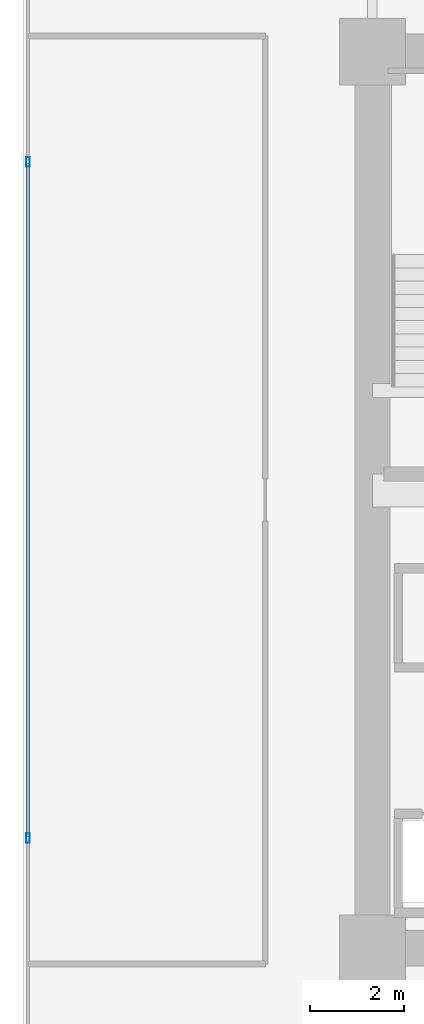
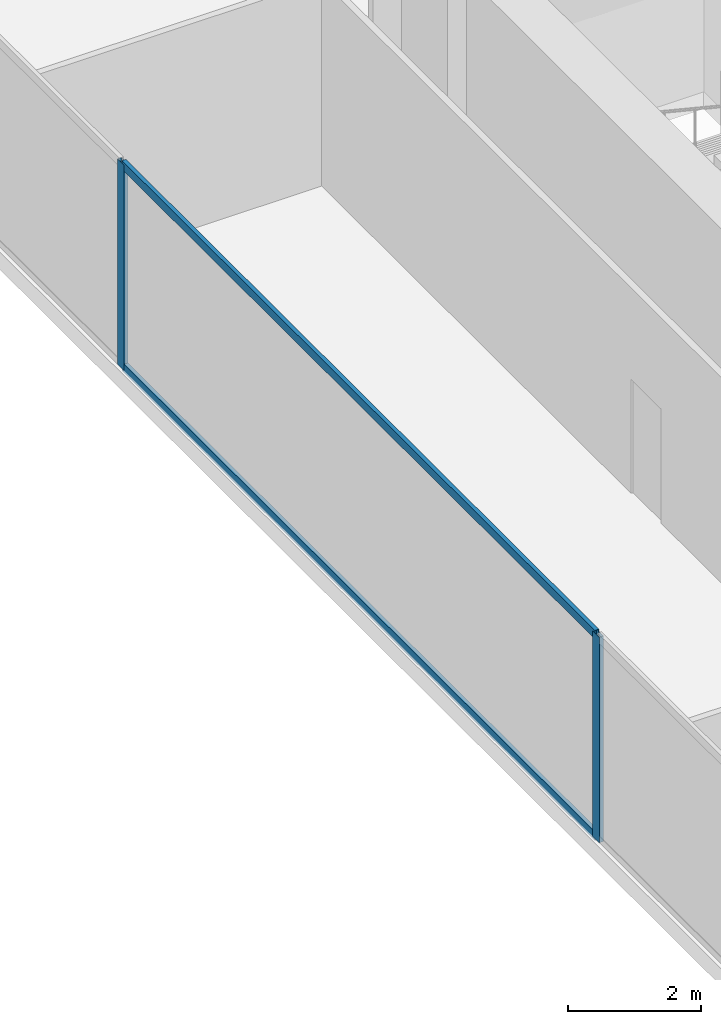
# One storey, part 6 of 35: 4 members, 1 element without a shape of its own.
"""IFC4 building model written with IfcOpenShell, lengths in metres."""

import ifcopenshell
import ifcopenshell.guid

model = None  # the IFC model being written
_history = None  # IfcOwnerHistory: only IFC2X3 demands one
_inside = {}  # id of a spatial element -> (the spatial element, [elements in it])
_under = {}  # id of a project, library or spatial element -> (it, [spatial elements below it])
_declared = {}  # id of a project -> (the project, [libraries it declares])
_typed = {}  # id of a type object -> (the type object, [elements of that type])
_made_of = {}  # id of a material, layer set ... -> (it, [elements and type objects made of it])


def new_model(schema):
    """Start an empty IFC model of exactly this schema.

    Asked for "IFC4X3", IfcOpenShell would pick the latest addendum, in which some entities
    have other attributes; the version numbers below select the first issue.
    IFC2X3 requires an IfcOwnerHistory on every rooted entity: one is made here for all.
    """
    global model, _history
    if schema == "IFC4X3":
        model = ifcopenshell.file(schema_version=(4, 3, 0, 0))
    else:
        model = ifcopenshell.file(schema=schema)
    _inside.clear()
    _under.clear()
    _declared.clear()
    _typed.clear()
    _made_of.clear()
    _history = None
    if model.schema == "IFC2X3":
        org = make("IfcOrganization", Name="unknown")
        user = make(
            "IfcPersonAndOrganization",
            ThePerson=make("IfcPerson", FamilyName="unknown"),
            TheOrganization=org,
        )
        app = make(
            "IfcApplication",
            ApplicationDeveloper=org,
            Version="unknown",
            ApplicationFullName="unknown",
            ApplicationIdentifier="unknown",
        )
        _history = make(
            "IfcOwnerHistory",
            OwningUser=user,
            OwningApplication=app,
            ChangeAction="ADDED",
            CreationDate=0,
        )
    return model


def make(cls, **values):
    """One entity of the class cls with the attributes given. An attribute that is None is left unset."""
    return model.create_entity(
        cls, **{name: value for name, value in values.items() if value is not None}
    )


def rooted(cls, **values):
    """An entity with a GlobalId (a new one), such as an element, a storey or a relation."""
    return make(cls, GlobalId=ifcopenshell.guid.new(), OwnerHistory=_history, **values)


def si_unit(unit_type, name, prefix=None):
    """IfcSIUnit, for example si_unit("LENGTHUNIT", "METRE", prefix="MILLI")."""
    return make("IfcSIUnit", UnitType=unit_type, Prefix=prefix, Name=name)


def assignment(units):
    """IfcUnitAssignment: the units of a project."""
    return None if units is None else make("IfcUnitAssignment", Units=units)


def point(xyz):
    """IfcCartesianPoint."""
    return None if xyz is None else make("IfcCartesianPoint", Coordinates=xyz)


def direction(xyz):
    """IfcDirection."""
    return None if xyz is None else make("IfcDirection", DirectionRatios=xyz)


def frame(location, z_axis=None, x_axis=None):
    """IfcAxis2Placement3D, a coordinate frame: its origin and axes. An axis left out is left unset."""
    return make(
        "IfcAxis2Placement3D",
        Location=point(location),
        Axis=direction(z_axis),
        RefDirection=direction(x_axis),
    )


def frame_2d(location, x_axis=None):
    """IfcAxis2Placement2D, a coordinate frame in the plane: its origin and x axis."""
    return make(
        "IfcAxis2Placement2D", Location=point(location), RefDirection=direction(x_axis)
    )


def origin():
    """The frame at (0, 0, 0) with its axes left unset."""
    return frame((0.0, 0.0, 0.0))


def origin_2d():
    """The frame at (0, 0) in the plane with its x axis left unset."""
    return frame_2d((0.0, 0.0))


def place(relative_to, where):
    """IfcLocalPlacement: puts the frame where relative to a parent placement (None: the world)."""
    return make(
        "IfcLocalPlacement", PlacementRelTo=relative_to, RelativePlacement=where
    )


def context(
    kind, dimensions, precision=None, world=None, true_north=None, identifier=None
):
    """IfcGeometricRepresentationContext, for example the 3D "Model" context."""
    return make(
        "IfcGeometricRepresentationContext",
        ContextIdentifier=identifier,
        ContextType=kind,
        CoordinateSpaceDimension=dimensions,
        Precision=precision,
        WorldCoordinateSystem=world,
        TrueNorth=true_north,
    )


def subcontext(parent, identifier, kind, view, scale=None):
    """IfcGeometricRepresentationSubContext, for example "Body" below "Model"."""
    return make(
        "IfcGeometricRepresentationSubContext",
        ContextIdentifier=identifier,
        ContextType=kind,
        ParentContext=parent,
        TargetScale=scale,
        TargetView=view,
    )


def project(units=None, contexts=None):
    """IfcProject with its units and contexts."""
    return rooted(
        "IfcProject",
        Name="project",
        RepresentationContexts=contexts,
        UnitsInContext=assignment(units),
    )


def spatial(cls, under=None, at=None, **own):
    """A site, building, storey or space (cls), placed at a placement, below another one or the project."""
    s = rooted(cls, ObjectPlacement=at, **own)
    if under is not None:
        _under.setdefault(under.id(), (under, []))[1].append(s)
    return s


def profile(cls, at=None, kind="AREA", **sizes):
    """A parametric profile (cls). Its sizes go by their IFC names, for example OverallWidth=200.0."""
    return make(cls, ProfileType=kind, Position=at, **sizes)


def hollow_rectangle(**sizes):
    """IfcRectangleHollowProfileDef."""
    return profile("IfcRectangleHollowProfileDef", **sizes)


def extrude(swept, where, along, depth):
    """IfcExtrudedAreaSolid: the profile swept, set in the frame where, extruded along a direction by depth."""
    return make(
        "IfcExtrudedAreaSolid",
        SweptArea=swept,
        Position=where,
        ExtrudedDirection=direction(along),
        Depth=depth,
    )


def shape(context_of_items, identifier, shape_type, items):
    """IfcShapeRepresentation: the items that make up one representation, for example the "Body"."""
    return make(
        "IfcShapeRepresentation",
        ContextOfItems=context_of_items,
        RepresentationIdentifier=identifier,
        RepresentationType=shape_type,
        Items=items,
    )


def source(mapping_origin, context_of_items, identifier, shape_type, items):
    """IfcRepresentationMap: a shape defined once, which mapped items show again and again."""
    return make(
        "IfcRepresentationMap",
        MappingOrigin=mapping_origin,
        MappedRepresentation=shape(context_of_items, identifier, shape_type, items),
    )


def transform(
    local_origin,
    x_axis=None,
    y_axis=None,
    z_axis=None,
    scale=None,
    scale2=None,
    scale3=None,
    uniform=True,
):
    """IfcCartesianTransformationOperator3D, or its non-uniform kind. x_axis, y_axis, z_axis: its Axis1, 2, 3."""
    if uniform:
        return make(
            "IfcCartesianTransformationOperator3D",
            Axis1=direction(x_axis),
            Axis2=direction(y_axis),
            LocalOrigin=point(local_origin),
            Scale=scale,
            Axis3=direction(z_axis),
        )
    return make(
        "IfcCartesianTransformationOperator3DnonUniform",
        Axis1=direction(x_axis),
        Axis2=direction(y_axis),
        LocalOrigin=point(local_origin),
        Scale=scale,
        Axis3=direction(z_axis),
        Scale2=scale2,
        Scale3=scale3,
    )


def mapped(mapping_source, mapping_target):
    """IfcMappedItem: shows the shape of a source again, moved by a transform."""
    return make(
        "IfcMappedItem", MappingSource=mapping_source, MappingTarget=mapping_target
    )


def material(Name=None, Category=None):
    """IfcMaterial."""
    return make("IfcMaterial", Name=Name, Category=Category)


def layer(
    of_material, thickness, ventilated=None, Name=None, Category=None, Priority=None
):
    """IfcMaterialLayer: one layer of a wall or slab, of a material (None: an air gap)."""
    return make(
        "IfcMaterialLayer",
        Material=of_material,
        LayerThickness=thickness,
        IsVentilated=ventilated,
        Name=Name,
        Category=Category,
        Priority=Priority,
    )


def layer_set(layers, Name=None):
    """IfcMaterialLayerSet."""
    return make("IfcMaterialLayerSet", MaterialLayers=layers, LayerSetName=Name)


def material_profile(
    of_material, cross_section, Name=None, Category=None, Priority=None
):
    """IfcMaterialProfile: a cross section and its material."""
    return make(
        "IfcMaterialProfile",
        Name=Name,
        Material=of_material,
        Profile=cross_section,
        Priority=Priority,
        Category=Category,
    )


def profile_set(profiles, Name=None, composite=None):
    """IfcMaterialProfileSet."""
    return make(
        "IfcMaterialProfileSet",
        Name=Name,
        MaterialProfiles=profiles,
        CompositeProfile=composite,
    )


def made_of(thing, what):
    """Note that an element or type object is made of a material, layer set ...; save() writes the relation."""
    if what is not None:
        _made_of.setdefault(what.id(), (what, []))[1].append(thing)
    return thing


def type_object(cls, material=None, **own):
    """A type object (cls), such as IfcWallType, which elements share."""
    return made_of(rooted(cls, **own), material)


def type_shapes(of_type, sources):
    """Give a type object the sources (RepresentationMaps) that its elements show as mapped items."""
    of_type.RepresentationMaps = sources


def element(
    cls,
    number,
    at=None,
    inside=None,
    cuts=None,
    type_object=None,
    material=None,
    context=None,
    identifier="Body",
    shape_type=None,
    held_by="IfcProductDefinitionShape",
    body=None,
    shapes=None,
    **own,
):
    """One element of the class cls, such as IfcWall. Its Tag is "e" and its number.

    at: its placement. inside: the storey or other place that contains it. cuts: it is an
    opening in that element (IfcRelVoidsElement). A single representation is given by context,
    identifier, shape_type and body (its items); several are given by shapes. held_by: the class
    of the entity that holds the representations. save() writes the other relations.
    """
    e = rooted(cls, Tag="e%d" % number, ObjectPlacement=at, **own)
    if body is not None:
        shapes = [shape(context, identifier, shape_type, body)]
    if shapes is not None:
        e.Representation = make(held_by, Representations=shapes)
    if inside is not None:
        _inside.setdefault(inside.id(), (inside, []))[1].append(e)
    if cuts is not None:
        rooted(
            "IfcRelVoidsElement", RelatingBuildingElement=cuts, RelatedOpeningElement=e
        )
    if type_object is not None:
        _typed.setdefault(type_object.id(), (type_object, []))[1].append(e)
    return made_of(e, material)


def aggregate(whole, parts):
    """IfcRelAggregates: a whole, such as a stair, and the parts it consists of."""
    return rooted("IfcRelAggregates", RelatingObject=whole, RelatedObjects=parts)


def save(model, path):
    """Write the relations noted so far, then the file.

    IfcRelAggregates (storeys below a building ...), IfcRelContainedInSpatialStructure (elements
    in a storey), IfcRelDefinesByType, IfcRelAssociatesMaterial and IfcRelDeclares: one each for
    every whole, place, type object, material and project.
    """
    for whole, parts in _under.values():
        aggregate(whole, parts)
    for where, things in _inside.values():
        rooted(
            "IfcRelContainedInSpatialStructure",
            RelatedElements=things,
            RelatingStructure=where,
        )
    for kind, things in _typed.values():
        rooted("IfcRelDefinesByType", RelatedObjects=things, RelatingType=kind)
    for what, things in _made_of.values():
        rooted("IfcRelAssociatesMaterial", RelatedObjects=things, RelatingMaterial=what)
    for by, libraries in _declared.values():
        rooted("IfcRelDeclares", RelatingContext=by, RelatedDefinitions=libraries)
    model.write(path)


model = new_model("IFC4")

# Units and contexts
model_context = context("Model", 3, precision=1e-05, world=origin(), true_north=direction((0.0, 1.0)))
body_context = subcontext(model_context, "Body", "Model", "MODEL_VIEW")
ifc_project = project(units=[si_unit("LENGTHUNIT", "METRE"), si_unit("AREAUNIT", "SQUARE_METRE"), si_unit("VOLUMEUNIT", "CUBIC_METRE"), si_unit("PLANEANGLEUNIT", "RADIAN"), si_unit("MASSUNIT", "GRAM", prefix="KILO")], contexts=[model_context])

# Site, building, storey
site_placement = place(None, origin())
site = spatial("IfcSite", under=ifc_project, at=site_placement, CompositionType="ELEMENT")
building_placement = place(site_placement, origin())
building = spatial("IfcBuilding", under=site, at=building_placement, Name="Haelvirn Gate Laboratories", CompositionType="ELEMENT")
storey_placement = place(building_placement, frame((0.0, 0.0, 70.300048828125)))
storey = spatial("IfcBuildingStorey", under=building, at=storey_placement, Name="L17", CompositionType="ELEMENT", Elevation=70.300048828125)

# Curtain wall, members
ifc_material_1 = material(Name="Anodised bronze unitised aluminium & triple low-E glass", Category="aluminium")
ifc_layer = layer(ifc_material_1, 0.18408203125, Name="CW-SYS-2")
ifc_layer_set = layer_set([ifc_layer], Name="Anodised bronze unitised aluminium & triple low-E glass")
curtain_wall_type = type_object("IfcCurtainWallType", Name="CW-SYS-2", PredefinedType="NOTDEFINED", material=ifc_layer_set)
curtain_wall_placement = place(storey_placement, origin())
curtain_wall = element("IfcCurtainWall", 1, at=curtain_wall_placement, inside=storey, type_object=curtain_wall_type, Name="L17 Unitised Curtain Wall CW-L17-P0-E17", PredefinedType="NOTDEFINED")
ifc_material_2 = material(Name="Extruded aluminium 6063-T6 (anodised bronze)", Category="aluminium")
ifc_material_profile_1 = material_profile(ifc_material_2, hollow_rectangle(XDim=0.074951171875, YDim=0.199951171875, WallThickness=0.0048828125, at=origin_2d()), Name="CWM-200x75x5")
ifc_profile_set_1 = profile_set([ifc_material_profile_1], Name="Extruded aluminium 6063-T6 (anodised bronze)")
member_type_1 = type_object("IfcMemberType", Name="CWM-T200", PredefinedType="MULLION", material=ifc_profile_set_1)
shared_shape_1 = source(origin(), body_context, "Body", "SweptSolid", [
    extrude(hollow_rectangle(XDim=0.074951171875, YDim=0.199951171875, WallThickness=0.0048828125, at=origin_2d()), origin(), (0.0, 0.0, 1.0), 3.780029296875),
])
type_shapes(member_type_1, [shared_shape_1])
member_1_placement = place(storey_placement, frame((0.10009765625, 31.466552734375, 0.0), z_axis=(0.0, 0.0, 1.0), x_axis=(1.0, 0.0, 0.0)))
member_1 = element("IfcMember", 2, at=member_1_placement, type_object=member_type_1, Name="CW2 mullion 2", PredefinedType="MULLION", context=body_context, shape_type="MappedRepresentation", body=[
    mapped(shared_shape_1, transform((0.0, 0.0, 0.0), scale=1.0)),
])
member_2_placement = place(storey_placement, frame((0.10009765625, 17.13330078125, 0.0), z_axis=(0.0, 0.0, 1.0), x_axis=(1.0, 0.0, 0.0)))
member_2 = element("IfcMember", 3, at=member_2_placement, type_object=member_type_1, Name="CW2 mullion 3", PredefinedType="MULLION", context=body_context, shape_type="MappedRepresentation", body=[
    mapped(shared_shape_1, transform((0.0, 0.0, 0.0), scale=1.0)),
])
ifc_material_profile_2 = material_profile(ifc_material_2, hollow_rectangle(XDim=0.070068359375, YDim=0.159912109375, WallThickness=0.0048828125, at=origin_2d()), Name="CWT-160x70x5")
ifc_profile_set_2 = profile_set([ifc_material_profile_2], Name="Extruded aluminium 6063-T6 (anodised bronze)")
member_type_2 = type_object("IfcMemberType", Name="CWT-T160", PredefinedType="USERDEFINED", material=ifc_profile_set_2)
shared_shape_2 = source(origin(), body_context, "Body", "SweptSolid", [
    extrude(hollow_rectangle(XDim=0.070068359375, YDim=0.159912109375, WallThickness=0.0048828125, at=origin_2d()), origin(), (0.0, 0.0, 1.0), 14.25830078125),
])
type_shapes(member_type_2, [shared_shape_2])
member_3_placement = place(storey_placement, frame((0.10009765625, 31.42919921875, 0.034912109375), z_axis=(0.0, -1.0, 0.0), x_axis=(1.0, 0.0, 0.0)))
member_3 = element("IfcMember", 4, at=member_3_placement, type_object=member_type_2, Name="CW2 transom 2.1", ObjectType="TRANSOM", PredefinedType="USERDEFINED", context=body_context, shape_type="MappedRepresentation", body=[
    mapped(shared_shape_2, transform((0.0, 0.0, 0.0), scale=1.0)),
])
member_4_placement = place(storey_placement, frame((0.10009765625, 31.42919921875, 3.744873046875), z_axis=(0.0, -1.0, 0.0), x_axis=(1.0, 0.0, 0.0)))
member_4 = element("IfcMember", 5, at=member_4_placement, type_object=member_type_2, Name="CW2 transom 2.2", ObjectType="TRANSOM", PredefinedType="USERDEFINED", context=body_context, shape_type="MappedRepresentation", body=[
    mapped(shared_shape_2, transform((0.0, 0.0, 0.0), scale=1.0)),
])
aggregate(curtain_wall, [member_1, member_2, member_3, member_4])

save(model, "model.ifc")
